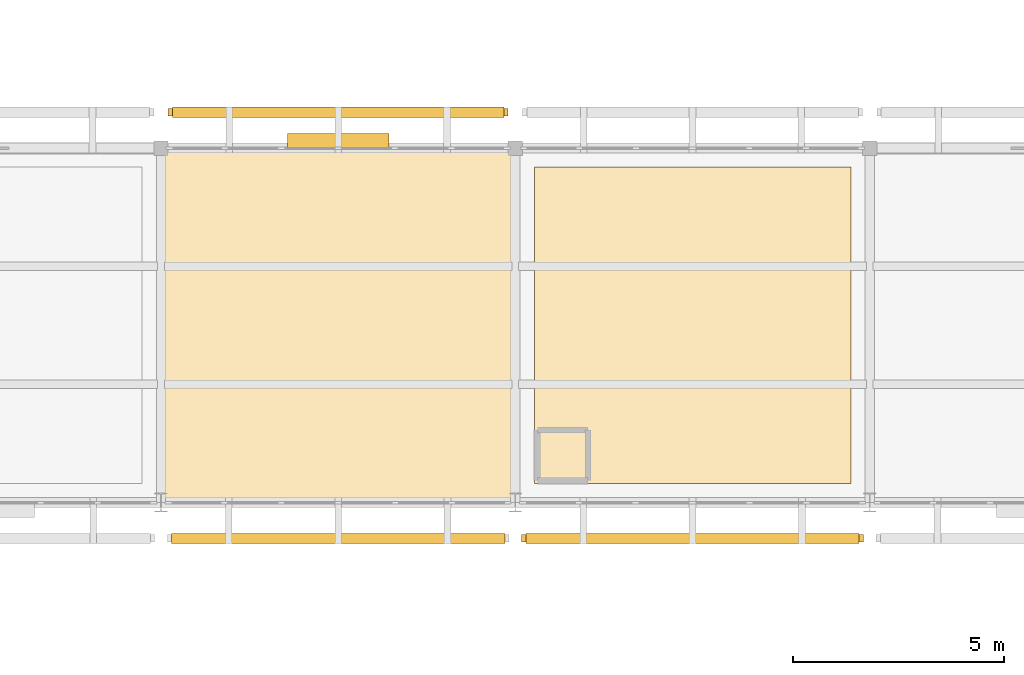
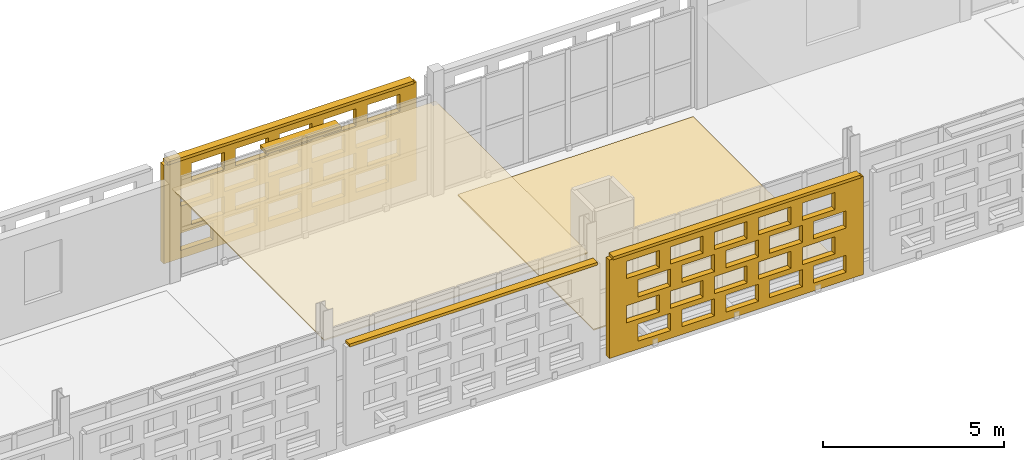
# One storey, part 122 of 140: 4 coverings, 4 shading devices, 40 openings.
"""IFC4 building model written with IfcOpenShell, lengths in metres."""

from ifc_helpers import new_model, si_unit, direction, frame, frame_2d, origin, origin_2d, place, context, subcontext, project, spatial, rectangle, extrude, material, layer, layer_set, type_object, element, save


model = new_model("IFC4")

# Units and contexts
model_context = context("Model", 3, precision=1e-05, world=origin(), true_north=direction((0.0, 1.0)))
body_context = subcontext(model_context, "Body", "Model", "MODEL_VIEW")
ifc_project = project(units=[si_unit("LENGTHUNIT", "METRE"), si_unit("AREAUNIT", "SQUARE_METRE"), si_unit("VOLUMEUNIT", "CUBIC_METRE"), si_unit("PLANEANGLEUNIT", "RADIAN"), si_unit("MASSUNIT", "GRAM", prefix="KILO")], contexts=[model_context])

# Site, building, storey
site_placement = place(None, origin())
site = spatial("IfcSite", under=ifc_project, at=site_placement, CompositionType="ELEMENT")
building_placement = place(site_placement, origin())
building = spatial("IfcBuilding", under=site, at=building_placement, Name="Varnapada Polytechnic", CompositionType="ELEMENT")
storey_placement = place(building_placement, frame((0.0, 0.0, 13.800048828125)))
storey = spatial("IfcBuildingStorey", under=building, at=storey_placement, Name="L03", CompositionType="ELEMENT", Elevation=13.800048828125)

# Covering
ifc_material_1 = material(Name="Acoustic Rubber Seminar Flooring")
ifc_layer_1 = layer(ifc_material_1, 0.0400390625)
ifc_layer_set_1 = layer_set([ifc_layer_1], Name="Acoustic Rubber Seminar Flooring")
covering_type_1 = type_object("IfcCoveringType", Name="Floor Finish FLR-06", PredefinedType="FLOORING", material=ifc_layer_set_1)
covering_1_placement = place(storey_placement, frame((105.0, 88.199951171875, 0.0), z_axis=(0.0, 0.0, 1.0), x_axis=(1.0, 0.0, 0.0)))
element("IfcCovering", 1, at=covering_1_placement, inside=storey, type_object=covering_type_1, Name="L03 floor finish panel (13,11)", PredefinedType="FLOORING", context=body_context, shape_type="SweptSolid", body=[
    extrude(rectangle(XDim=7.5, YDim=7.5, at=origin_2d()), origin(), (0.0, 0.0, 1.0), 0.0400390625),
])

# Shading device
ifc_material_2 = material(Name="Anodised aluminium", Category="aluminium")
ifc_layer_2 = layer(ifc_material_2, 0.35009765625)
ifc_layer_set_2 = layer_set([ifc_layer_2], Name="Anodised aluminium")
shading_device_type_1 = type_object("IfcShadingDeviceType", Name="Solar Louvre LVR-01", PredefinedType="JALOUSIE", material=ifc_layer_set_2)
shading_device_1_placement = place(storey_placement, frame((96.60009765625, 92.580078125, 3.159912109375), z_axis=(0.0, 0.0, 1.0), x_axis=(1.0, 0.0, 0.0)))
element("IfcShadingDevice", 2, at=shading_device_1_placement, inside=storey, type_object=shading_device_type_1, Name="L03 aluminium sun louvre 61", PredefinedType="JALOUSIE", context=body_context, shape_type="SweptSolid", body=[
    extrude(rectangle(XDim=2.39990234375, YDim=0.340087890625, at=origin_2d()), origin(), (0.0, 0.0, 1.0), 0.1201171875),
])

# Covering
ifc_material_3 = material(Name="Mineral Fibre Acoustic Ceiling Tile")
ifc_layer_3 = layer(ifc_material_3, 0.0400390625)
ifc_layer_set_3 = layer_set([ifc_layer_3], Name="Mineral Fibre Acoustic Ceiling Tile")
covering_type_2 = type_object("IfcCoveringType", Name="Suspended Ceiling CLG-01", PredefinedType="CEILING", material=ifc_layer_set_3)
covering_2_placement = place(storey_placement, frame((96.60009765625, 88.199951171875, 3.030029296875), z_axis=(0.0, 0.0, 1.0), x_axis=(1.0, 0.0, 0.0)))
element("IfcCovering", 3, at=covering_2_placement, inside=storey, type_object=covering_type_2, Name="L03 suspended acoustic ceiling (12,11)", PredefinedType="CEILING", context=body_context, shape_type="SweptSolid", body=[
    extrude(rectangle(XDim=8.419921875, YDim=8.419921875, at=origin_2d()), origin(), (0.0, 0.0, 1.0), 0.0400390625),
])

# Covering, openings
ifc_material_4 = material(Name="Earth-toned architectural terracotta screen block", Category="masonry")
ifc_layer_4 = layer(ifc_material_4, 0.1201171875)
ifc_layer_set_4 = layer_set([ifc_layer_4], Name="Earth-toned architectural terracotta screen block")
covering_type_3 = type_object("IfcCoveringType", Name="Terracotta Screen Cladding CLD-01", PredefinedType="CLADDING", material=ifc_layer_set_4)
covering_3_placement = place(storey_placement, frame((92.570068359375, 93.25, 0.0), z_axis=(0.0, 0.0, 1.0), x_axis=(1.0, 0.0, 0.0)))
covering_3 = element("IfcCovering", 4, at=covering_3_placement, inside=storey, type_object=covering_type_3, Name="L03 perforated terracotta block screen (61)", PredefinedType="CLADDING", context=body_context, shape_type="SweptSolid", body=[
    extrude(rectangle(XDim=8.059814453125, YDim=0.179931640625, at=frame_2d((4.02978515625, 0.0))), origin(), (0.0, 0.0, 1.0), 3.320068359375),
])
opening_1_placement = place(covering_3_placement, frame((0.530029296875, 0.0, 0.265625)))
element("IfcOpeningElement", 5, at=opening_1_placement, cuts=covering_3, Name="Screen perforation TBS-L03-060.1", PredefinedType="OPENING", context=body_context, shape_type="SweptSolid", body=[
    extrude(rectangle(XDim=1.0400390625, YDim=0.5810546875, at=frame_2d((0.52001953125, 0.29052734375))), frame((0.0, 0.099853515625, 0.0), z_axis=(0.0, -1.0, 0.0), x_axis=(1.0, 0.0, 0.0)), (0.0, 0.0, 1.0), 0.199951171875),
])
opening_2_placement = place(covering_3_placement, frame((1.929931640625, 0.0, 0.265625)))
element("IfcOpeningElement", 6, at=opening_2_placement, cuts=covering_3, Name="Screen perforation TBS-L03-060.2", PredefinedType="OPENING", context=body_context, shape_type="SweptSolid", body=[
    extrude(rectangle(XDim=1.0400390625, YDim=0.5810546875, at=frame_2d((0.52001953125, 0.29052734375))), frame((0.0, 0.099853515625, 0.0), z_axis=(0.0, -1.0, 0.0), x_axis=(1.0, 0.0, 0.0)), (0.0, 0.0, 1.0), 0.199951171875),
])
opening_3_placement = place(covering_3_placement, frame((3.330078125, 0.0, 0.265625)))
element("IfcOpeningElement", 7, at=opening_3_placement, cuts=covering_3, Name="Screen perforation TBS-L03-060.3", PredefinedType="OPENING", context=body_context, shape_type="SweptSolid", body=[
    extrude(rectangle(XDim=1.0400390625, YDim=0.5810546875, at=frame_2d((0.52001953125, 0.29052734375))), frame((0.0, 0.099853515625, 0.0), z_axis=(0.0, -1.0, 0.0), x_axis=(1.0, 0.0, 0.0)), (0.0, 0.0, 1.0), 0.199951171875),
])
opening_4_placement = place(covering_3_placement, frame((4.72998046875, 0.0, 0.265625)))
element("IfcOpeningElement", 8, at=opening_4_placement, cuts=covering_3, Name="Screen perforation TBS-L03-060.4", PredefinedType="OPENING", context=body_context, shape_type="SweptSolid", body=[
    extrude(rectangle(XDim=1.0400390625, YDim=0.5810546875, at=frame_2d((0.52001953125, 0.29052734375))), frame((0.0, 0.099853515625, 0.0), z_axis=(0.0, -1.0, 0.0), x_axis=(1.0, 0.0, 0.0)), (0.0, 0.0, 1.0), 0.199951171875),
])
opening_5_placement = place(covering_3_placement, frame((6.1298828125, 0.0, 0.265625)))
element("IfcOpeningElement", 9, at=opening_5_placement, cuts=covering_3, Name="Screen perforation TBS-L03-060.5", PredefinedType="OPENING", context=body_context, shape_type="SweptSolid", body=[
    extrude(rectangle(XDim=1.0400390625, YDim=0.5810546875, at=frame_2d((0.52001953125, 0.29052734375))), frame((0.0, 0.099853515625, 0.0), z_axis=(0.0, -1.0, 0.0), x_axis=(1.0, 0.0, 0.0)), (0.0, 0.0, 1.0), 0.199951171875),
])
opening_6_placement = place(covering_3_placement, frame((0.889892578125, 0.0, 1.0126953125)))
element("IfcOpeningElement", 10, at=opening_6_placement, cuts=covering_3, Name="Screen perforation TBS-L03-060.6", PredefinedType="OPENING", context=body_context, shape_type="SweptSolid", body=[
    extrude(rectangle(XDim=1.0400390625, YDim=0.5810546875, at=frame_2d((0.52001953125, 0.29052734375))), frame((0.0, 0.099853515625, 0.0), z_axis=(0.0, -1.0, 0.0), x_axis=(1.0, 0.0, 0.0)), (0.0, 0.0, 1.0), 0.199951171875),
])
opening_7_placement = place(covering_3_placement, frame((2.2900390625, 0.0, 1.0126953125)))
element("IfcOpeningElement", 11, at=opening_7_placement, cuts=covering_3, Name="Screen perforation TBS-L03-060.7", PredefinedType="OPENING", context=body_context, shape_type="SweptSolid", body=[
    extrude(rectangle(XDim=1.0400390625, YDim=0.5810546875, at=frame_2d((0.52001953125, 0.29052734375))), frame((0.0, 0.099853515625, 0.0), z_axis=(0.0, -1.0, 0.0), x_axis=(1.0, 0.0, 0.0)), (0.0, 0.0, 1.0), 0.199951171875),
])
opening_8_placement = place(covering_3_placement, frame((3.68994140625, 0.0, 1.0126953125)))
element("IfcOpeningElement", 12, at=opening_8_placement, cuts=covering_3, Name="Screen perforation TBS-L03-060.8", PredefinedType="OPENING", context=body_context, shape_type="SweptSolid", body=[
    extrude(rectangle(XDim=1.0400390625, YDim=0.5810546875, at=frame_2d((0.52001953125, 0.29052734375))), frame((0.0, 0.099853515625, 0.0), z_axis=(0.0, -1.0, 0.0), x_axis=(1.0, 0.0, 0.0)), (0.0, 0.0, 1.0), 0.199951171875),
])
opening_9_placement = place(covering_3_placement, frame((5.090087890625, 0.0, 1.0126953125)))
element("IfcOpeningElement", 13, at=opening_9_placement, cuts=covering_3, Name="Screen perforation TBS-L03-060.9", PredefinedType="OPENING", context=body_context, shape_type="SweptSolid", body=[
    extrude(rectangle(XDim=1.0400390625, YDim=0.5810546875, at=frame_2d((0.52001953125, 0.29052734375))), frame((0.0, 0.099853515625, 0.0), z_axis=(0.0, -1.0, 0.0), x_axis=(1.0, 0.0, 0.0)), (0.0, 0.0, 1.0), 0.199951171875),
])
opening_10_placement = place(covering_3_placement, frame((6.489990234375, 0.0, 1.0126953125)))
element("IfcOpeningElement", 14, at=opening_10_placement, cuts=covering_3, Name="Screen perforation TBS-L03-060.10", PredefinedType="OPENING", context=body_context, shape_type="SweptSolid", body=[
    extrude(rectangle(XDim=1.0400390625, YDim=0.5810546875, at=frame_2d((0.52001953125, 0.29052734375))), frame((0.0, 0.099853515625, 0.0), z_axis=(0.0, -1.0, 0.0), x_axis=(1.0, 0.0, 0.0)), (0.0, 0.0, 1.0), 0.199951171875),
])
opening_11_placement = place(covering_3_placement, frame((0.530029296875, 0.0, 1.759521484375)))
element("IfcOpeningElement", 15, at=opening_11_placement, cuts=covering_3, Name="Screen perforation TBS-L03-060.11", PredefinedType="OPENING", context=body_context, shape_type="SweptSolid", body=[
    extrude(rectangle(XDim=1.0400390625, YDim=0.5810546875, at=frame_2d((0.52001953125, 0.29052734375))), frame((0.0, 0.099853515625, 0.0), z_axis=(0.0, -1.0, 0.0), x_axis=(1.0, 0.0, 0.0)), (0.0, 0.0, 1.0), 0.199951171875),
])
opening_12_placement = place(covering_3_placement, frame((1.929931640625, 0.0, 1.759521484375)))
element("IfcOpeningElement", 16, at=opening_12_placement, cuts=covering_3, Name="Screen perforation TBS-L03-060.12", PredefinedType="OPENING", context=body_context, shape_type="SweptSolid", body=[
    extrude(rectangle(XDim=1.0400390625, YDim=0.5810546875, at=frame_2d((0.52001953125, 0.29052734375))), frame((0.0, 0.099853515625, 0.0), z_axis=(0.0, -1.0, 0.0), x_axis=(1.0, 0.0, 0.0)), (0.0, 0.0, 1.0), 0.199951171875),
])
opening_13_placement = place(covering_3_placement, frame((3.330078125, 0.0, 1.759521484375)))
element("IfcOpeningElement", 17, at=opening_13_placement, cuts=covering_3, Name="Screen perforation TBS-L03-060.13", PredefinedType="OPENING", context=body_context, shape_type="SweptSolid", body=[
    extrude(rectangle(XDim=1.0400390625, YDim=0.5810546875, at=frame_2d((0.52001953125, 0.29052734375))), frame((0.0, 0.099853515625, 0.0), z_axis=(0.0, -1.0, 0.0), x_axis=(1.0, 0.0, 0.0)), (0.0, 0.0, 1.0), 0.199951171875),
])
opening_14_placement = place(covering_3_placement, frame((4.72998046875, 0.0, 1.759521484375)))
element("IfcOpeningElement", 18, at=opening_14_placement, cuts=covering_3, Name="Screen perforation TBS-L03-060.14", PredefinedType="OPENING", context=body_context, shape_type="SweptSolid", body=[
    extrude(rectangle(XDim=1.0400390625, YDim=0.5810546875, at=frame_2d((0.52001953125, 0.29052734375))), frame((0.0, 0.099853515625, 0.0), z_axis=(0.0, -1.0, 0.0), x_axis=(1.0, 0.0, 0.0)), (0.0, 0.0, 1.0), 0.199951171875),
])
opening_15_placement = place(covering_3_placement, frame((6.1298828125, 0.0, 1.759521484375)))
element("IfcOpeningElement", 19, at=opening_15_placement, cuts=covering_3, Name="Screen perforation TBS-L03-060.15", PredefinedType="OPENING", context=body_context, shape_type="SweptSolid", body=[
    extrude(rectangle(XDim=1.0400390625, YDim=0.5810546875, at=frame_2d((0.52001953125, 0.29052734375))), frame((0.0, 0.099853515625, 0.0), z_axis=(0.0, -1.0, 0.0), x_axis=(1.0, 0.0, 0.0)), (0.0, 0.0, 1.0), 0.199951171875),
])
opening_16_placement = place(covering_3_placement, frame((0.889892578125, 0.0, 2.506591796875)))
element("IfcOpeningElement", 20, at=opening_16_placement, cuts=covering_3, Name="Screen perforation TBS-L03-060.16", PredefinedType="OPENING", context=body_context, shape_type="SweptSolid", body=[
    extrude(rectangle(XDim=1.0400390625, YDim=0.5810546875, at=frame_2d((0.52001953125, 0.29052734375))), frame((0.0, 0.099853515625, 0.0), z_axis=(0.0, -1.0, 0.0), x_axis=(1.0, 0.0, 0.0)), (0.0, 0.0, 1.0), 0.199951171875),
])
opening_17_placement = place(covering_3_placement, frame((2.2900390625, 0.0, 2.506591796875)))
element("IfcOpeningElement", 21, at=opening_17_placement, cuts=covering_3, Name="Screen perforation TBS-L03-060.17", PredefinedType="OPENING", context=body_context, shape_type="SweptSolid", body=[
    extrude(rectangle(XDim=1.0400390625, YDim=0.5810546875, at=frame_2d((0.52001953125, 0.29052734375))), frame((0.0, 0.099853515625, 0.0), z_axis=(0.0, -1.0, 0.0), x_axis=(1.0, 0.0, 0.0)), (0.0, 0.0, 1.0), 0.199951171875),
])
opening_18_placement = place(covering_3_placement, frame((3.68994140625, 0.0, 2.506591796875)))
element("IfcOpeningElement", 22, at=opening_18_placement, cuts=covering_3, Name="Screen perforation TBS-L03-060.18", PredefinedType="OPENING", context=body_context, shape_type="SweptSolid", body=[
    extrude(rectangle(XDim=1.0400390625, YDim=0.5810546875, at=frame_2d((0.52001953125, 0.29052734375))), frame((0.0, 0.099853515625, 0.0), z_axis=(0.0, -1.0, 0.0), x_axis=(1.0, 0.0, 0.0)), (0.0, 0.0, 1.0), 0.199951171875),
])
opening_19_placement = place(covering_3_placement, frame((5.090087890625, 0.0, 2.506591796875)))
element("IfcOpeningElement", 23, at=opening_19_placement, cuts=covering_3, Name="Screen perforation TBS-L03-060.19", PredefinedType="OPENING", context=body_context, shape_type="SweptSolid", body=[
    extrude(rectangle(XDim=1.0400390625, YDim=0.5810546875, at=frame_2d((0.52001953125, 0.29052734375))), frame((0.0, 0.099853515625, 0.0), z_axis=(0.0, -1.0, 0.0), x_axis=(1.0, 0.0, 0.0)), (0.0, 0.0, 1.0), 0.199951171875),
])
opening_20_placement = place(covering_3_placement, frame((6.489990234375, 0.0, 2.506591796875)))
element("IfcOpeningElement", 24, at=opening_20_placement, cuts=covering_3, Name="Screen perforation TBS-L03-060.20", PredefinedType="OPENING", context=body_context, shape_type="SweptSolid", body=[
    extrude(rectangle(XDim=1.0400390625, YDim=0.5810546875, at=frame_2d((0.52001953125, 0.29052734375))), frame((0.0, 0.099853515625, 0.0), z_axis=(0.0, -1.0, 0.0), x_axis=(1.0, 0.0, 0.0)), (0.0, 0.0, 1.0), 0.199951171875),
])

covering_4_placement = place(storey_placement, frame((109.050048828125, 83.14990234375, 0.0), z_axis=(0.0, 0.0, 1.0), x_axis=(-1.0, 0.0, 0.0)))
covering_4 = element("IfcCovering", 25, at=covering_4_placement, inside=storey, type_object=covering_type_3, Name="L03 perforated terracotta block screen (62)", PredefinedType="CLADDING", context=body_context, shape_type="SweptSolid", body=[
    extrude(rectangle(XDim=8.10009765625, YDim=0.179931640625, at=frame_2d((4.050048828125, 0.0))), origin(), (0.0, 0.0, 1.0), 3.320068359375),
])
opening_21_placement = place(covering_4_placement, frame((0.550048828125, 0.0, 0.265625)))
element("IfcOpeningElement", 26, at=opening_21_placement, cuts=covering_4, Name="Screen perforation TBS-L03-061.1", PredefinedType="OPENING", context=body_context, shape_type="SweptSolid", body=[
    extrude(rectangle(XDim=1.0400390625, YDim=0.5810546875, at=frame_2d((0.52001953125, 0.29052734375))), frame((0.0, 0.099853515625, 0.0), z_axis=(0.0, -1.0, 0.0), x_axis=(1.0, 0.0, 0.0)), (0.0, 0.0, 1.0), 0.199951171875),
])
opening_22_placement = place(covering_4_placement, frame((1.949951171875, 0.0, 0.265625)))
element("IfcOpeningElement", 27, at=opening_22_placement, cuts=covering_4, Name="Screen perforation TBS-L03-061.2", PredefinedType="OPENING", context=body_context, shape_type="SweptSolid", body=[
    extrude(rectangle(XDim=1.0400390625, YDim=0.5810546875, at=frame_2d((0.52001953125, 0.29052734375))), frame((0.0, 0.099853515625, 0.0), z_axis=(0.0, -1.0, 0.0), x_axis=(1.0, 0.0, 0.0)), (0.0, 0.0, 1.0), 0.199951171875),
])
opening_23_placement = place(covering_4_placement, frame((3.35009765625, 0.0, 0.265625)))
element("IfcOpeningElement", 28, at=opening_23_placement, cuts=covering_4, Name="Screen perforation TBS-L03-061.3", PredefinedType="OPENING", context=body_context, shape_type="SweptSolid", body=[
    extrude(rectangle(XDim=1.0400390625, YDim=0.5810546875, at=frame_2d((0.52001953125, 0.29052734375))), frame((0.0, 0.099853515625, 0.0), z_axis=(0.0, -1.0, 0.0), x_axis=(1.0, 0.0, 0.0)), (0.0, 0.0, 1.0), 0.199951171875),
])
opening_24_placement = place(covering_4_placement, frame((4.75, 0.0, 0.265625)))
element("IfcOpeningElement", 29, at=opening_24_placement, cuts=covering_4, Name="Screen perforation TBS-L03-061.4", PredefinedType="OPENING", context=body_context, shape_type="SweptSolid", body=[
    extrude(rectangle(XDim=1.0400390625, YDim=0.5810546875, at=frame_2d((0.52001953125, 0.29052734375))), frame((0.0, 0.099853515625, 0.0), z_axis=(0.0, -1.0, 0.0), x_axis=(1.0, 0.0, 0.0)), (0.0, 0.0, 1.0), 0.199951171875),
])
opening_25_placement = place(covering_4_placement, frame((6.14990234375, 0.0, 0.265625)))
element("IfcOpeningElement", 30, at=opening_25_placement, cuts=covering_4, Name="Screen perforation TBS-L03-061.5", PredefinedType="OPENING", context=body_context, shape_type="SweptSolid", body=[
    extrude(rectangle(XDim=1.0400390625, YDim=0.5810546875, at=frame_2d((0.52001953125, 0.29052734375))), frame((0.0, 0.099853515625, 0.0), z_axis=(0.0, -1.0, 0.0), x_axis=(1.0, 0.0, 0.0)), (0.0, 0.0, 1.0), 0.199951171875),
])
opening_26_placement = place(covering_4_placement, frame((0.909912109375, 0.0, 1.0126953125)))
element("IfcOpeningElement", 31, at=opening_26_placement, cuts=covering_4, Name="Screen perforation TBS-L03-061.6", PredefinedType="OPENING", context=body_context, shape_type="SweptSolid", body=[
    extrude(rectangle(XDim=1.0400390625, YDim=0.5810546875, at=frame_2d((0.52001953125, 0.29052734375))), frame((0.0, 0.099853515625, 0.0), z_axis=(0.0, -1.0, 0.0), x_axis=(1.0, 0.0, 0.0)), (0.0, 0.0, 1.0), 0.199951171875),
])
opening_27_placement = place(covering_4_placement, frame((2.31005859375, 0.0, 1.0126953125)))
element("IfcOpeningElement", 32, at=opening_27_placement, cuts=covering_4, Name="Screen perforation TBS-L03-061.7", PredefinedType="OPENING", context=body_context, shape_type="SweptSolid", body=[
    extrude(rectangle(XDim=1.0400390625, YDim=0.5810546875, at=frame_2d((0.52001953125, 0.29052734375))), frame((0.0, 0.099853515625, 0.0), z_axis=(0.0, -1.0, 0.0), x_axis=(1.0, 0.0, 0.0)), (0.0, 0.0, 1.0), 0.199951171875),
])
opening_28_placement = place(covering_4_placement, frame((3.7099609375, 0.0, 1.0126953125)))
element("IfcOpeningElement", 33, at=opening_28_placement, cuts=covering_4, Name="Screen perforation TBS-L03-061.8", PredefinedType="OPENING", context=body_context, shape_type="SweptSolid", body=[
    extrude(rectangle(XDim=1.0400390625, YDim=0.5810546875, at=frame_2d((0.52001953125, 0.29052734375))), frame((0.0, 0.099853515625, 0.0), z_axis=(0.0, -1.0, 0.0), x_axis=(1.0, 0.0, 0.0)), (0.0, 0.0, 1.0), 0.199951171875),
])
opening_29_placement = place(covering_4_placement, frame((5.110107421875, 0.0, 1.0126953125)))
element("IfcOpeningElement", 34, at=opening_29_placement, cuts=covering_4, Name="Screen perforation TBS-L03-061.9", PredefinedType="OPENING", context=body_context, shape_type="SweptSolid", body=[
    extrude(rectangle(XDim=1.0400390625, YDim=0.5810546875, at=frame_2d((0.52001953125, 0.29052734375))), frame((0.0, 0.099853515625, 0.0), z_axis=(0.0, -1.0, 0.0), x_axis=(1.0, 0.0, 0.0)), (0.0, 0.0, 1.0), 0.199951171875),
])
opening_30_placement = place(covering_4_placement, frame((6.510009765625, 0.0, 1.0126953125)))
element("IfcOpeningElement", 35, at=opening_30_placement, cuts=covering_4, Name="Screen perforation TBS-L03-061.10", PredefinedType="OPENING", context=body_context, shape_type="SweptSolid", body=[
    extrude(rectangle(XDim=1.0400390625, YDim=0.5810546875, at=frame_2d((0.52001953125, 0.29052734375))), frame((0.0, 0.099853515625, 0.0), z_axis=(0.0, -1.0, 0.0), x_axis=(1.0, 0.0, 0.0)), (0.0, 0.0, 1.0), 0.199951171875),
])
opening_31_placement = place(covering_4_placement, frame((0.550048828125, 0.0, 1.759521484375)))
element("IfcOpeningElement", 36, at=opening_31_placement, cuts=covering_4, Name="Screen perforation TBS-L03-061.11", PredefinedType="OPENING", context=body_context, shape_type="SweptSolid", body=[
    extrude(rectangle(XDim=1.0400390625, YDim=0.5810546875, at=frame_2d((0.52001953125, 0.29052734375))), frame((0.0, 0.099853515625, 0.0), z_axis=(0.0, -1.0, 0.0), x_axis=(1.0, 0.0, 0.0)), (0.0, 0.0, 1.0), 0.199951171875),
])
opening_32_placement = place(covering_4_placement, frame((1.949951171875, 0.0, 1.759521484375)))
element("IfcOpeningElement", 37, at=opening_32_placement, cuts=covering_4, Name="Screen perforation TBS-L03-061.12", PredefinedType="OPENING", context=body_context, shape_type="SweptSolid", body=[
    extrude(rectangle(XDim=1.0400390625, YDim=0.5810546875, at=frame_2d((0.52001953125, 0.29052734375))), frame((0.0, 0.099853515625, 0.0), z_axis=(0.0, -1.0, 0.0), x_axis=(1.0, 0.0, 0.0)), (0.0, 0.0, 1.0), 0.199951171875),
])
opening_33_placement = place(covering_4_placement, frame((3.35009765625, 0.0, 1.759521484375)))
element("IfcOpeningElement", 38, at=opening_33_placement, cuts=covering_4, Name="Screen perforation TBS-L03-061.13", PredefinedType="OPENING", context=body_context, shape_type="SweptSolid", body=[
    extrude(rectangle(XDim=1.0400390625, YDim=0.5810546875, at=frame_2d((0.52001953125, 0.29052734375))), frame((0.0, 0.099853515625, 0.0), z_axis=(0.0, -1.0, 0.0), x_axis=(1.0, 0.0, 0.0)), (0.0, 0.0, 1.0), 0.199951171875),
])
opening_34_placement = place(covering_4_placement, frame((4.75, 0.0, 1.759521484375)))
element("IfcOpeningElement", 39, at=opening_34_placement, cuts=covering_4, Name="Screen perforation TBS-L03-061.14", PredefinedType="OPENING", context=body_context, shape_type="SweptSolid", body=[
    extrude(rectangle(XDim=1.0400390625, YDim=0.5810546875, at=frame_2d((0.52001953125, 0.29052734375))), frame((0.0, 0.099853515625, 0.0), z_axis=(0.0, -1.0, 0.0), x_axis=(1.0, 0.0, 0.0)), (0.0, 0.0, 1.0), 0.199951171875),
])
opening_35_placement = place(covering_4_placement, frame((6.14990234375, 0.0, 1.759521484375)))
element("IfcOpeningElement", 40, at=opening_35_placement, cuts=covering_4, Name="Screen perforation TBS-L03-061.15", PredefinedType="OPENING", context=body_context, shape_type="SweptSolid", body=[
    extrude(rectangle(XDim=1.0400390625, YDim=0.5810546875, at=frame_2d((0.52001953125, 0.29052734375))), frame((0.0, 0.099853515625, 0.0), z_axis=(0.0, -1.0, 0.0), x_axis=(1.0, 0.0, 0.0)), (0.0, 0.0, 1.0), 0.199951171875),
])
opening_36_placement = place(covering_4_placement, frame((0.909912109375, 0.0, 2.506591796875)))
element("IfcOpeningElement", 41, at=opening_36_placement, cuts=covering_4, Name="Screen perforation TBS-L03-061.16", PredefinedType="OPENING", context=body_context, shape_type="SweptSolid", body=[
    extrude(rectangle(XDim=1.0400390625, YDim=0.5810546875, at=frame_2d((0.52001953125, 0.29052734375))), frame((0.0, 0.099853515625, 0.0), z_axis=(0.0, -1.0, 0.0), x_axis=(1.0, 0.0, 0.0)), (0.0, 0.0, 1.0), 0.199951171875),
])
opening_37_placement = place(covering_4_placement, frame((2.31005859375, 0.0, 2.506591796875)))
element("IfcOpeningElement", 42, at=opening_37_placement, cuts=covering_4, Name="Screen perforation TBS-L03-061.17", PredefinedType="OPENING", context=body_context, shape_type="SweptSolid", body=[
    extrude(rectangle(XDim=1.0400390625, YDim=0.5810546875, at=frame_2d((0.52001953125, 0.29052734375))), frame((0.0, 0.099853515625, 0.0), z_axis=(0.0, -1.0, 0.0), x_axis=(1.0, 0.0, 0.0)), (0.0, 0.0, 1.0), 0.199951171875),
])
opening_38_placement = place(covering_4_placement, frame((3.7099609375, 0.0, 2.506591796875)))
element("IfcOpeningElement", 43, at=opening_38_placement, cuts=covering_4, Name="Screen perforation TBS-L03-061.18", PredefinedType="OPENING", context=body_context, shape_type="SweptSolid", body=[
    extrude(rectangle(XDim=1.0400390625, YDim=0.5810546875, at=frame_2d((0.52001953125, 0.29052734375))), frame((0.0, 0.099853515625, 0.0), z_axis=(0.0, -1.0, 0.0), x_axis=(1.0, 0.0, 0.0)), (0.0, 0.0, 1.0), 0.199951171875),
])
opening_39_placement = place(covering_4_placement, frame((5.110107421875, 0.0, 2.506591796875)))
element("IfcOpeningElement", 44, at=opening_39_placement, cuts=covering_4, Name="Screen perforation TBS-L03-061.19", PredefinedType="OPENING", context=body_context, shape_type="SweptSolid", body=[
    extrude(rectangle(XDim=1.0400390625, YDim=0.5810546875, at=frame_2d((0.52001953125, 0.29052734375))), frame((0.0, 0.099853515625, 0.0), z_axis=(0.0, -1.0, 0.0), x_axis=(1.0, 0.0, 0.0)), (0.0, 0.0, 1.0), 0.199951171875),
])
opening_40_placement = place(covering_4_placement, frame((6.510009765625, 0.0, 2.506591796875)))
element("IfcOpeningElement", 45, at=opening_40_placement, cuts=covering_4, Name="Screen perforation TBS-L03-061.20", PredefinedType="OPENING", context=body_context, shape_type="SweptSolid", body=[
    extrude(rectangle(XDim=1.0400390625, YDim=0.5810546875, at=frame_2d((0.52001953125, 0.29052734375))), frame((0.0, 0.099853515625, 0.0), z_axis=(0.0, -1.0, 0.0), x_axis=(1.0, 0.0, 0.0)), (0.0, 0.0, 1.0), 0.199951171875),
])

# Shading devices
ifc_layer_5 = layer(ifc_material_4, 0.179931640625)
ifc_layer_set_5 = layer_set([ifc_layer_5], Name="Earth-toned architectural terracotta screen block")
shading_device_type_2 = type_object("IfcShadingDeviceType", Name="Terracotta Screen SCR-01", PredefinedType="USERDEFINED", material=ifc_layer_set_5)
shading_device_2_placement = place(storey_placement, frame((96.60009765625, 83.14990234375, 3.309814453125), z_axis=(0.0, 0.0, 1.0), x_axis=(-1.0, 0.0, 0.0)))
element("IfcShadingDevice", 46, at=shading_device_2_placement, inside=storey, type_object=shading_device_type_2, Name="L03 perforated terracotta screen hood 390", ObjectType="SCREEN", PredefinedType="USERDEFINED", context=body_context, shape_type="SweptSolid", body=[
    extrude(rectangle(XDim=7.89990234375, YDim=0.239990234375, at=origin_2d()), origin(), (0.0, 0.0, 1.0), 0.10009765625),
])
shading_device_3_placement = place(storey_placement, frame((96.60009765625, 93.25, 3.309814453125), z_axis=(0.0, 0.0, 1.0), x_axis=(1.0, 0.0, 0.0)))
element("IfcShadingDevice", 47, at=shading_device_3_placement, inside=storey, type_object=shading_device_type_2, Name="L03 perforated terracotta screen hood 391", ObjectType="SCREEN", PredefinedType="USERDEFINED", context=body_context, shape_type="SweptSolid", body=[
    extrude(rectangle(XDim=7.860107421875, YDim=0.239990234375, at=origin_2d()), origin(), (0.0, 0.0, 1.0), 0.10009765625),
])
shading_device_4_placement = place(storey_placement, frame((105.0, 83.14990234375, 3.309814453125), z_axis=(0.0, 0.0, 1.0), x_axis=(-1.0, 0.0, 0.0)))
element("IfcShadingDevice", 48, at=shading_device_4_placement, inside=storey, type_object=shading_device_type_2, Name="L03 perforated terracotta screen hood 392", ObjectType="SCREEN", PredefinedType="USERDEFINED", context=body_context, shape_type="SweptSolid", body=[
    extrude(rectangle(XDim=7.89990234375, YDim=0.239990234375, at=origin_2d()), origin(), (0.0, 0.0, 1.0), 0.10009765625),
])

save(model, "model.ifc")
